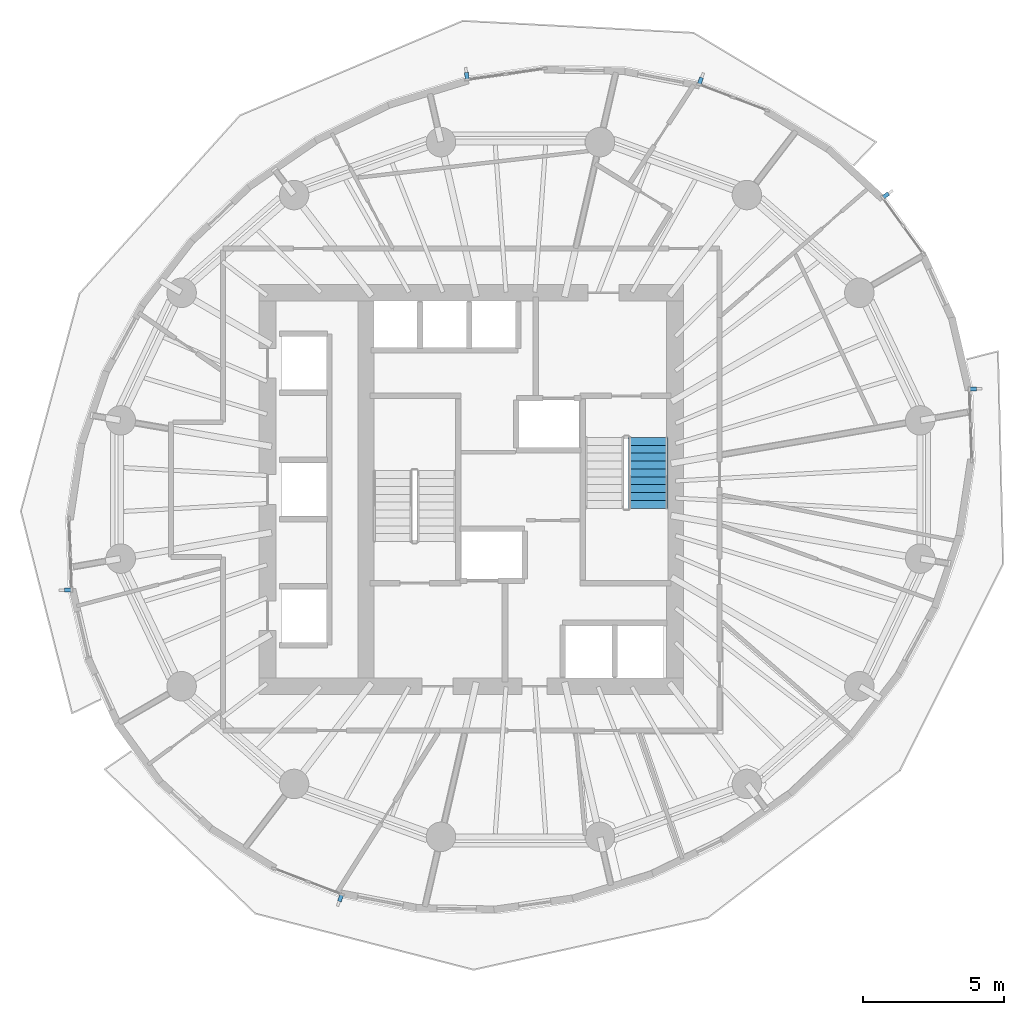
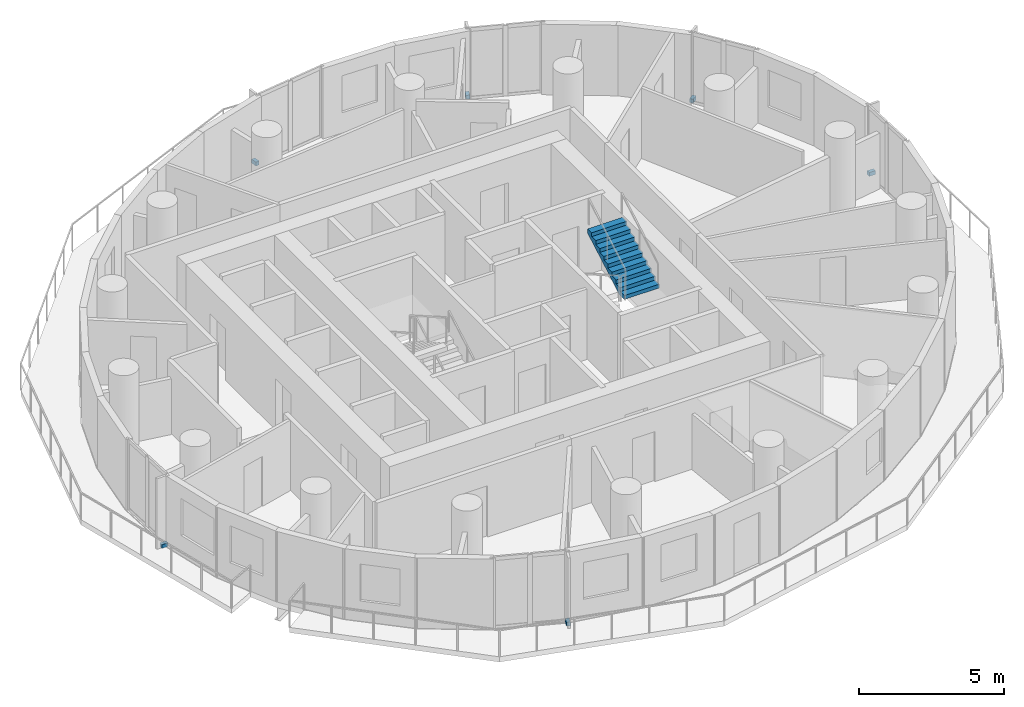
# One storey, part 9 of 14: 6 discrete accessories, 1 stair flight, 1 element without a shape of its own.
"""IFC4 building model written with IfcOpenShell, lengths in metres."""

from ifc_helpers import new_model, si_unit, direction, frame, origin, origin_2d, place, context, subcontext, project, spatial, polyline, rectangle, outline, extrude, material, type_object, element, aggregate, save


model = new_model("IFC4")

# Units and contexts
model_context = context("Model", 3, precision=1e-05, world=origin(), true_north=direction((0.0, 1.0)))
body_context = subcontext(model_context, "Body", "Model", "MODEL_VIEW")
ifc_project = project(units=[si_unit("LENGTHUNIT", "METRE"), si_unit("AREAUNIT", "SQUARE_METRE"), si_unit("VOLUMEUNIT", "CUBIC_METRE"), si_unit("PLANEANGLEUNIT", "RADIAN"), si_unit("MASSUNIT", "GRAM", prefix="KILO")], contexts=[model_context])

# Site, building, storey
site_placement = place(None, origin())
site = spatial("IfcSite", under=ifc_project, at=site_placement, CompositionType="ELEMENT")
building_placement = place(site_placement, origin())
building = spatial("IfcBuilding", under=site, at=building_placement, Name="Veldorim Arch Residences", CompositionType="ELEMENT")
storey_placement = place(building_placement, frame((0.0, 0.0, 123.360107421875)))
storey = spatial("IfcBuildingStorey", under=building, at=storey_placement, Name="L36", CompositionType="ELEMENT", Elevation=123.360107421875)

# Stair, stair flight
ifc_material_1 = material(Name="Concrete C40/50", Category="concrete")
stair_type = type_object("IfcStairType", Name="Reinforced Concrete Dogleg Exit Staircase", PredefinedType="HALF_TURN_STAIR", material=ifc_material_1)
stair_placement = place(storey_placement, origin())
stair = element("IfcStair", 1, at=stair_placement, inside=storey, type_object=stair_type, Name="L36 Exit Staircase ST-2", PredefinedType="HALF_TURN_STAIR")
ifc_material_2 = material(Name="Concrete C40/50", Category="concrete")
stair_flight_type = type_object("IfcStairFlightType", Name="Reinforced Concrete Stair Flight 1400", PredefinedType="STRAIGHT", material=ifc_material_2)
stair_flight_placement = place(storey_placement, frame((36.550048828125, 23.330078125, 1.599853515625), z_axis=(0.0, 0.0, 1.0), x_axis=(0.0, 1.0, 0.0)))
stair_flight = element("IfcStairFlight", 2, at=stair_flight_placement, type_object=stair_flight_type, Name="ST-2 flight 2", NumberOfRisers=10, NumberOfTreads=9, PredefinedType="STRAIGHT", RiserHeight=0.16, TreadLength=0.28, context=body_context, shape_type="SweptSolid", body=[
    extrude(outline(polyline([(0.0, 0.0), (0.0, 0.159912109375), (0.280029296875, 0.159912109375), (0.280029296875, 0.320068359375), (0.56005859375, 0.320068359375), (0.56005859375, 0.47998046875), (0.840087890625, 0.47998046875), (0.840087890625, 0.639892578125), (1.1201171875, 0.639892578125), (1.1201171875, 0.800048828125), (1.39990234375, 0.800048828125), (1.39990234375, 0.9599609375), (1.679931640625, 0.9599609375), (1.679931640625, 1.1201171875), (1.9599609375, 1.1201171875), (1.9599609375, 1.280029296875), (2.239990234375, 1.280029296875), (2.239990234375, 1.43994140625), (2.52001953125, 1.43994140625), (2.52001953125, 1.60009765625), (2.52001953125, 1.255859375), (0.322265625, 0.0), (0.0, 0.0)])), frame((0.0, 0.699951171875, 0.0), z_axis=(0.0, -1.0, 0.0), x_axis=(1.0, 0.0, 0.0)), (0.0, 0.0, 1.0), 1.39990234375),
])
aggregate(stair, [stair_flight])

# Discrete accessories
ifc_material_3 = material(Name="Stainless Steel", Category="steel")
discrete_accessory_type = type_object("IfcDiscreteAccessoryType", Name="Stainless Steel Facade Fin Anchor Bracket", PredefinedType="BRACKET", material=ifc_material_3)
for number, where, z_axis, x_axis, name in (
    (3, (44.99951171875, 34.4619140625, -0.02001953125), (0.0, 0.0, 1.0), (0.587644043238, -0.809119569932, 0.0), "L36 stainless fin anchor bracket 01"),
    (4, (38.40234375, 38.540283203125, -0.02001953125), (0.0, 0.0, 1.0), (0.934079892355, -0.357064076459, 0.0), "L36 stainless fin anchor bracket 04"),
    (5, (30.09033203125, 38.71875, -0.02001953125), (0.0, 0.0, 1.0), (0.989850775563, 0.142110668555, 0.0), "L36 stainless fin anchor bracket 07"),
    (6, (15.89013671875, 20.42041015625, -0.02001953125), (0.0, 0.0, 1.0), (-0.035422771708, 0.999372416692, 0.0), "L36 stainless fin anchor bracket 16"),
    (7, (25.59765625, 9.459716796875, -0.02001953125), (0.0, 0.0, 1.0), (-0.934079892355, 0.357064076459, 0.0), "L36 stainless fin anchor bracket 22"),
    (8, (48.10986328125, 27.57958984375, -0.02001953125), (0.0, 0.0, 1.0), (0.035422771708, -0.999372416692, 0.0), "L36 stainless fin anchor bracket 34"),
):
    element("IfcDiscreteAccessory", number, at=place(storey_placement, frame(where, z_axis=z_axis, x_axis=x_axis)), inside=storey, type_object=discrete_accessory_type, Name=name, PredefinedType="BRACKET", context=body_context, shape_type="SweptSolid", body=[
        extrude(rectangle(XDim=0.139892578125, YDim=0.239990234375, at=origin_2d()), origin(), (0.0, 0.0, 1.0), 0.159912109375),
    ])

save(model, "model.ifc")
